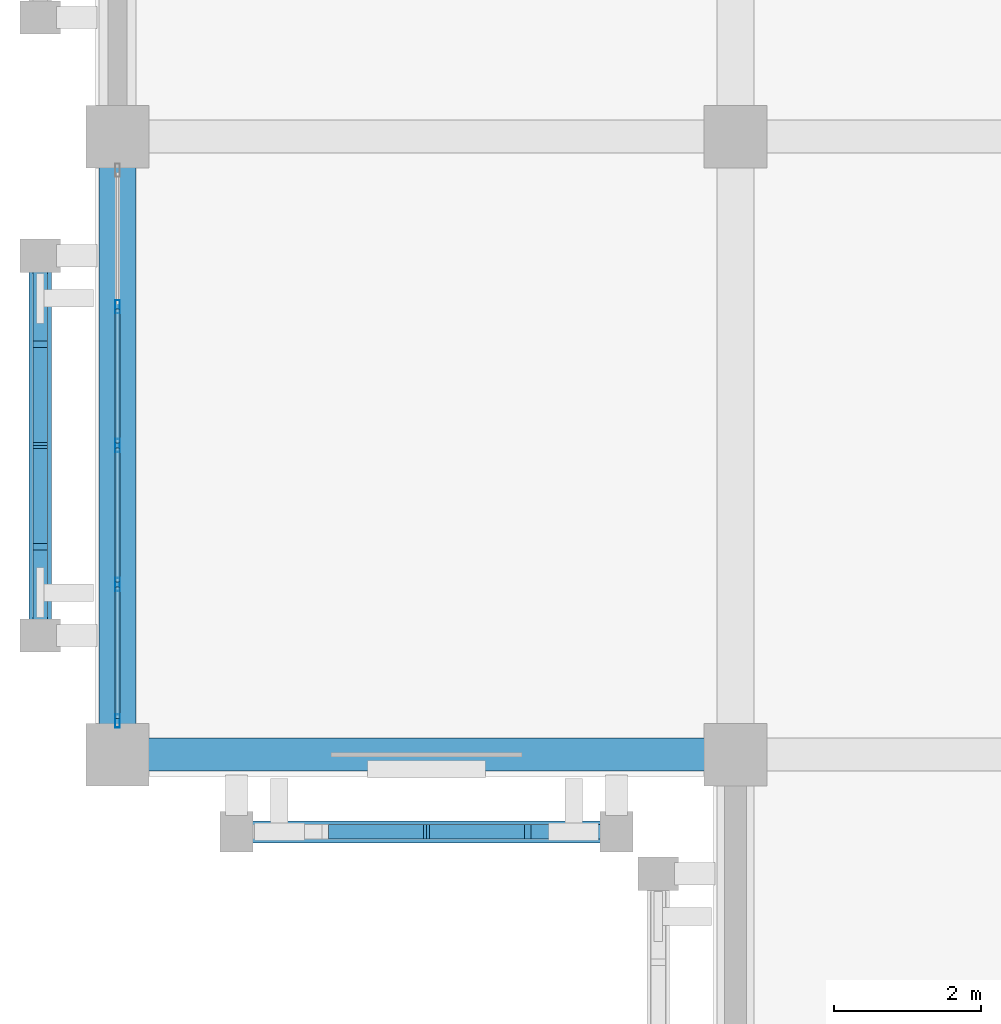
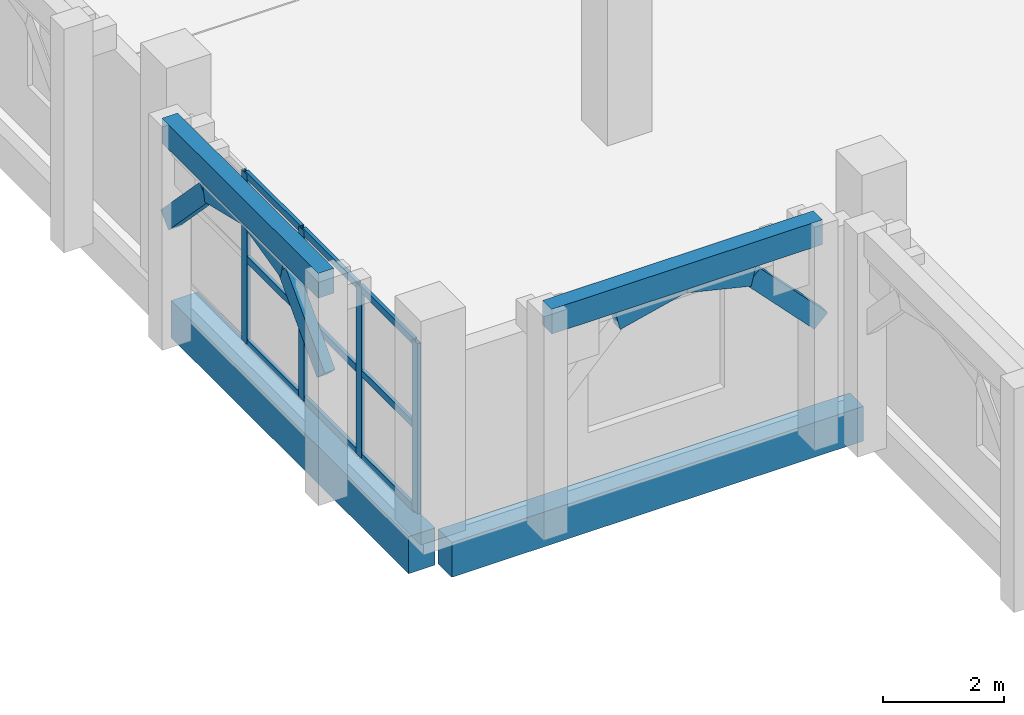
# One storey, part 8 of 137: 20 members, 4 beams, 1 element without a shape of its own.
"""IFC4 building model written with IfcOpenShell, lengths in metres."""

import ifcopenshell
import ifcopenshell.guid

model = None  # the IFC model being written
_history = None  # IfcOwnerHistory: only IFC2X3 demands one
_inside = {}  # id of a spatial element -> (the spatial element, [elements in it])
_under = {}  # id of a project, library or spatial element -> (it, [spatial elements below it])
_declared = {}  # id of a project -> (the project, [libraries it declares])
_typed = {}  # id of a type object -> (the type object, [elements of that type])
_made_of = {}  # id of a material, layer set ... -> (it, [elements and type objects made of it])


def new_model(schema):
    """Start an empty IFC model of exactly this schema.

    Asked for "IFC4X3", IfcOpenShell would pick the latest addendum, in which some entities
    have other attributes; the version numbers below select the first issue.
    IFC2X3 requires an IfcOwnerHistory on every rooted entity: one is made here for all.
    """
    global model, _history
    if schema == "IFC4X3":
        model = ifcopenshell.file(schema_version=(4, 3, 0, 0))
    else:
        model = ifcopenshell.file(schema=schema)
    _inside.clear()
    _under.clear()
    _declared.clear()
    _typed.clear()
    _made_of.clear()
    _history = None
    if model.schema == "IFC2X3":
        org = make("IfcOrganization", Name="unknown")
        user = make(
            "IfcPersonAndOrganization",
            ThePerson=make("IfcPerson", FamilyName="unknown"),
            TheOrganization=org,
        )
        app = make(
            "IfcApplication",
            ApplicationDeveloper=org,
            Version="unknown",
            ApplicationFullName="unknown",
            ApplicationIdentifier="unknown",
        )
        _history = make(
            "IfcOwnerHistory",
            OwningUser=user,
            OwningApplication=app,
            ChangeAction="ADDED",
            CreationDate=0,
        )
    return model


def make(cls, **values):
    """One entity of the class cls with the attributes given. An attribute that is None is left unset."""
    return model.create_entity(
        cls, **{name: value for name, value in values.items() if value is not None}
    )


def rooted(cls, **values):
    """An entity with a GlobalId (a new one), such as an element, a storey or a relation."""
    return make(cls, GlobalId=ifcopenshell.guid.new(), OwnerHistory=_history, **values)


def si_unit(unit_type, name, prefix=None):
    """IfcSIUnit, for example si_unit("LENGTHUNIT", "METRE", prefix="MILLI")."""
    return make("IfcSIUnit", UnitType=unit_type, Prefix=prefix, Name=name)


def assignment(units):
    """IfcUnitAssignment: the units of a project."""
    return None if units is None else make("IfcUnitAssignment", Units=units)


def point(xyz):
    """IfcCartesianPoint."""
    return None if xyz is None else make("IfcCartesianPoint", Coordinates=xyz)


def direction(xyz):
    """IfcDirection."""
    return None if xyz is None else make("IfcDirection", DirectionRatios=xyz)


def frame(location, z_axis=None, x_axis=None):
    """IfcAxis2Placement3D, a coordinate frame: its origin and axes. An axis left out is left unset."""
    return make(
        "IfcAxis2Placement3D",
        Location=point(location),
        Axis=direction(z_axis),
        RefDirection=direction(x_axis),
    )


def frame_2d(location, x_axis=None):
    """IfcAxis2Placement2D, a coordinate frame in the plane: its origin and x axis."""
    return make(
        "IfcAxis2Placement2D", Location=point(location), RefDirection=direction(x_axis)
    )


def origin():
    """The frame at (0, 0, 0) with its axes left unset."""
    return frame((0.0, 0.0, 0.0))


def origin_2d():
    """The frame at (0, 0) in the plane with its x axis left unset."""
    return frame_2d((0.0, 0.0))


def place(relative_to, where):
    """IfcLocalPlacement: puts the frame where relative to a parent placement (None: the world)."""
    return make(
        "IfcLocalPlacement", PlacementRelTo=relative_to, RelativePlacement=where
    )


def context(
    kind, dimensions, precision=None, world=None, true_north=None, identifier=None
):
    """IfcGeometricRepresentationContext, for example the 3D "Model" context."""
    return make(
        "IfcGeometricRepresentationContext",
        ContextIdentifier=identifier,
        ContextType=kind,
        CoordinateSpaceDimension=dimensions,
        Precision=precision,
        WorldCoordinateSystem=world,
        TrueNorth=true_north,
    )


def subcontext(parent, identifier, kind, view, scale=None):
    """IfcGeometricRepresentationSubContext, for example "Body" below "Model"."""
    return make(
        "IfcGeometricRepresentationSubContext",
        ContextIdentifier=identifier,
        ContextType=kind,
        ParentContext=parent,
        TargetScale=scale,
        TargetView=view,
    )


def project(units=None, contexts=None):
    """IfcProject with its units and contexts."""
    return rooted(
        "IfcProject",
        Name="project",
        RepresentationContexts=contexts,
        UnitsInContext=assignment(units),
    )


def spatial(cls, under=None, at=None, **own):
    """A site, building, storey or space (cls), placed at a placement, below another one or the project."""
    s = rooted(cls, ObjectPlacement=at, **own)
    if under is not None:
        _under.setdefault(under.id(), (under, []))[1].append(s)
    return s


def profile(cls, at=None, kind="AREA", **sizes):
    """A parametric profile (cls). Its sizes go by their IFC names, for example OverallWidth=200.0."""
    return make(cls, ProfileType=kind, Position=at, **sizes)


def rectangle(**sizes):
    """IfcRectangleProfileDef."""
    return profile("IfcRectangleProfileDef", **sizes)


def hollow_rectangle(**sizes):
    """IfcRectangleHollowProfileDef."""
    return profile("IfcRectangleHollowProfileDef", **sizes)


def extrude(swept, where, along, depth):
    """IfcExtrudedAreaSolid: the profile swept, set in the frame where, extruded along a direction by depth."""
    return make(
        "IfcExtrudedAreaSolid",
        SweptArea=swept,
        Position=where,
        ExtrudedDirection=direction(along),
        Depth=depth,
    )


def shape(context_of_items, identifier, shape_type, items):
    """IfcShapeRepresentation: the items that make up one representation, for example the "Body"."""
    return make(
        "IfcShapeRepresentation",
        ContextOfItems=context_of_items,
        RepresentationIdentifier=identifier,
        RepresentationType=shape_type,
        Items=items,
    )


def material(Name=None, Category=None):
    """IfcMaterial."""
    return make("IfcMaterial", Name=Name, Category=Category)


def layer(
    of_material, thickness, ventilated=None, Name=None, Category=None, Priority=None
):
    """IfcMaterialLayer: one layer of a wall or slab, of a material (None: an air gap)."""
    return make(
        "IfcMaterialLayer",
        Material=of_material,
        LayerThickness=thickness,
        IsVentilated=ventilated,
        Name=Name,
        Category=Category,
        Priority=Priority,
    )


def layer_set(layers, Name=None):
    """IfcMaterialLayerSet."""
    return make("IfcMaterialLayerSet", MaterialLayers=layers, LayerSetName=Name)


def material_profile(
    of_material, cross_section, Name=None, Category=None, Priority=None
):
    """IfcMaterialProfile: a cross section and its material."""
    return make(
        "IfcMaterialProfile",
        Name=Name,
        Material=of_material,
        Profile=cross_section,
        Priority=Priority,
        Category=Category,
    )


def profile_set(profiles, Name=None, composite=None):
    """IfcMaterialProfileSet."""
    return make(
        "IfcMaterialProfileSet",
        Name=Name,
        MaterialProfiles=profiles,
        CompositeProfile=composite,
    )


def made_of(thing, what):
    """Note that an element or type object is made of a material, layer set ...; save() writes the relation."""
    if what is not None:
        _made_of.setdefault(what.id(), (what, []))[1].append(thing)
    return thing


def type_object(cls, material=None, **own):
    """A type object (cls), such as IfcWallType, which elements share."""
    return made_of(rooted(cls, **own), material)


def element(
    cls,
    number,
    at=None,
    inside=None,
    cuts=None,
    type_object=None,
    material=None,
    context=None,
    identifier="Body",
    shape_type=None,
    held_by="IfcProductDefinitionShape",
    body=None,
    shapes=None,
    **own,
):
    """One element of the class cls, such as IfcWall. Its Tag is "e" and its number.

    at: its placement. inside: the storey or other place that contains it. cuts: it is an
    opening in that element (IfcRelVoidsElement). A single representation is given by context,
    identifier, shape_type and body (its items); several are given by shapes. held_by: the class
    of the entity that holds the representations. save() writes the other relations.
    """
    e = rooted(cls, Tag="e%d" % number, ObjectPlacement=at, **own)
    if body is not None:
        shapes = [shape(context, identifier, shape_type, body)]
    if shapes is not None:
        e.Representation = make(held_by, Representations=shapes)
    if inside is not None:
        _inside.setdefault(inside.id(), (inside, []))[1].append(e)
    if cuts is not None:
        rooted(
            "IfcRelVoidsElement", RelatingBuildingElement=cuts, RelatedOpeningElement=e
        )
    if type_object is not None:
        _typed.setdefault(type_object.id(), (type_object, []))[1].append(e)
    return made_of(e, material)


def aggregate(whole, parts):
    """IfcRelAggregates: a whole, such as a stair, and the parts it consists of."""
    return rooted("IfcRelAggregates", RelatingObject=whole, RelatedObjects=parts)


def save(model, path):
    """Write the relations noted so far, then the file.

    IfcRelAggregates (storeys below a building ...), IfcRelContainedInSpatialStructure (elements
    in a storey), IfcRelDefinesByType, IfcRelAssociatesMaterial and IfcRelDeclares: one each for
    every whole, place, type object, material and project.
    """
    for whole, parts in _under.values():
        aggregate(whole, parts)
    for where, things in _inside.values():
        rooted(
            "IfcRelContainedInSpatialStructure",
            RelatedElements=things,
            RelatingStructure=where,
        )
    for kind, things in _typed.values():
        rooted("IfcRelDefinesByType", RelatedObjects=things, RelatingType=kind)
    for what, things in _made_of.values():
        rooted("IfcRelAssociatesMaterial", RelatedObjects=things, RelatingMaterial=what)
    for by, libraries in _declared.values():
        rooted("IfcRelDeclares", RelatingContext=by, RelatedDefinitions=libraries)
    model.write(path)


model = new_model("IFC4")

# Units and contexts
model_context = context("Model", 3, precision=1e-05, world=origin(), true_north=direction((0.0, 1.0)))
body_context = subcontext(model_context, "Body", "Model", "MODEL_VIEW")
ifc_project = project(units=[si_unit("LENGTHUNIT", "METRE"), si_unit("AREAUNIT", "SQUARE_METRE"), si_unit("VOLUMEUNIT", "CUBIC_METRE"), si_unit("PLANEANGLEUNIT", "RADIAN"), si_unit("MASSUNIT", "GRAM", prefix="KILO")], contexts=[model_context])

# Site, building, storey
site_placement = place(None, origin())
site = spatial("IfcSite", under=ifc_project, at=site_placement, CompositionType="ELEMENT")
building_placement = place(site_placement, origin())
building = spatial("IfcBuilding", under=site, at=building_placement, Name="Xazarin Passage Department Store", CompositionType="ELEMENT")
storey_placement = place(building_placement, frame((0.0, 0.0, 5.39990234375)))
storey = spatial("IfcBuildingStorey", under=building, at=storey_placement, Name="L01", CompositionType="ELEMENT", Elevation=5.39990234375)

# Curtain wall, members
ifc_material_1 = material(Name="Bronze anodised aluminium", Category="aluminium")
ifc_layer = layer(ifc_material_1, 0.18994140625)
ifc_layer_set = layer_set([ifc_layer], Name="Bronze anodised aluminium")
curtain_wall_type = type_object("IfcCurtainWallType", Name="ARC-CW-FDH1", PredefinedType="NOTDEFINED", material=ifc_layer_set)
curtain_wall_placement = place(storey_placement, origin())
curtain_wall = element("IfcCurtainWall", 1, at=curtain_wall_placement, inside=storey, type_object=curtain_wall_type, Name="L01 V3 Curtain Wall 127", PredefinedType="NOTDEFINED")
ifc_material_profile_1 = material_profile(ifc_material_1, hollow_rectangle(XDim=0.06494140625, YDim=0.179931640625, WallThickness=0.00390625, at=origin_2d()), Name="ALU 65x180")
ifc_profile_set_1 = profile_set([ifc_material_profile_1], Name="Bronze anodised aluminium")
member_type_1 = type_object("IfcMemberType", Name="ARC-CWM-65x180", PredefinedType="MULLION", material=ifc_profile_set_1)
member_1_placement = place(storey_placement, frame((0.0, 17.257568359375, 0.0), z_axis=(0.0, 0.0, 1.0), x_axis=(-1.0, 0.0, 0.0)))
member_1 = element("IfcMember", 2, at=member_1_placement, type_object=member_type_1, Name="CW5 mullion 1", PredefinedType="MULLION", context=body_context, shape_type="SweptSolid", body=[
    extrude(hollow_rectangle(XDim=0.06494140625, YDim=0.179931640625, WallThickness=0.00390625, at=origin_2d()), origin(), (0.0, 0.0, 1.0), 3.43017578125),
])
member_2_placement = place(storey_placement, frame((0.0, 19.112548828125, 0.0), z_axis=(0.0, 0.0, 1.0), x_axis=(-1.0, 0.0, 0.0)))
member_2 = element("IfcMember", 3, at=member_2_placement, type_object=member_type_1, Name="CW5 mullion 2", PredefinedType="MULLION", context=body_context, shape_type="SweptSolid", body=[
    extrude(hollow_rectangle(XDim=0.06494140625, YDim=0.179931640625, WallThickness=0.00390625, at=origin_2d()), origin(), (0.0, 0.0, 1.0), 3.43017578125),
])
member_3_placement = place(storey_placement, frame((0.0, 21.0, 0.0), z_axis=(0.0, 0.0, 1.0), x_axis=(-1.0, 0.0, 0.0)))
member_3 = element("IfcMember", 4, at=member_3_placement, type_object=member_type_1, Name="CW5 mullion 3", PredefinedType="MULLION", context=body_context, shape_type="SweptSolid", body=[
    extrude(hollow_rectangle(XDim=0.06494140625, YDim=0.179931640625, WallThickness=0.00390625, at=origin_2d()), origin(), (0.0, 0.0, 1.0), 3.43017578125),
])
member_4_placement = place(storey_placement, frame((0.0, 22.887451171875, 0.0), z_axis=(0.0, 0.0, 1.0), x_axis=(-1.0, 0.0, 0.0)))
member_4 = element("IfcMember", 5, at=member_4_placement, type_object=member_type_1, Name="CW5 mullion 4", PredefinedType="MULLION", context=body_context, shape_type="SweptSolid", body=[
    extrude(hollow_rectangle(XDim=0.06494140625, YDim=0.179931640625, WallThickness=0.00390625, at=origin_2d()), origin(), (0.0, 0.0, 1.0), 3.43017578125),
])
ifc_material_profile_2 = material_profile(ifc_material_1, hollow_rectangle(XDim=0.06494140625, YDim=0.139892578125, WallThickness=0.00390625, at=origin_2d()), Name="ALU 65x140")
ifc_profile_set_2 = profile_set([ifc_material_profile_2], Name="Bronze anodised aluminium")
member_type_2 = type_object("IfcMemberType", Name="ARC-CWT-65x140", PredefinedType="USERDEFINED", material=ifc_profile_set_2)
member_5_placement = place(storey_placement, frame((0.0, 17.2900390625, 0.03271484375), z_axis=(0.0, 1.0, 0.0), x_axis=(-1.0, 0.0, 0.0)))
member_5 = element("IfcMember", 6, at=member_5_placement, type_object=member_type_2, Name="CW5 transom 1.1", ObjectType="TRANSOM", PredefinedType="USERDEFINED", context=body_context, shape_type="SweptSolid", body=[
    extrude(hollow_rectangle(XDim=0.06494140625, YDim=0.139892578125, WallThickness=0.00390625, at=origin_2d()), origin(), (0.0, 0.0, 1.0), 1.7900390625),
])
member_6_placement = place(storey_placement, frame((0.0, 17.2900390625, 1.715087890625), z_axis=(0.0, 1.0, 0.0), x_axis=(-1.0, 0.0, 0.0)))
member_6 = element("IfcMember", 7, at=member_6_placement, type_object=member_type_2, Name="CW5 transom 1.2", ObjectType="TRANSOM", PredefinedType="USERDEFINED", context=body_context, shape_type="SweptSolid", body=[
    extrude(hollow_rectangle(XDim=0.06494140625, YDim=0.139892578125, WallThickness=0.00390625, at=origin_2d()), origin(), (0.0, 0.0, 1.0), 1.7900390625),
])
member_7_placement = place(storey_placement, frame((0.0, 17.2900390625, 3.397705078125), z_axis=(0.0, 1.0, 0.0), x_axis=(-1.0, 0.0, 0.0)))
member_7 = element("IfcMember", 8, at=member_7_placement, type_object=member_type_2, Name="CW5 transom 1.3", ObjectType="TRANSOM", PredefinedType="USERDEFINED", context=body_context, shape_type="SweptSolid", body=[
    extrude(hollow_rectangle(XDim=0.06494140625, YDim=0.139892578125, WallThickness=0.00390625, at=origin_2d()), origin(), (0.0, 0.0, 1.0), 1.7900390625),
])
member_8_placement = place(storey_placement, frame((0.0, 19.14501953125, 0.03271484375), z_axis=(0.0, 1.0, 0.0), x_axis=(-1.0, 0.0, 0.0)))
member_8 = element("IfcMember", 9, at=member_8_placement, type_object=member_type_2, Name="CW5 transom 2.1", ObjectType="TRANSOM", PredefinedType="USERDEFINED", context=body_context, shape_type="SweptSolid", body=[
    extrude(hollow_rectangle(XDim=0.06494140625, YDim=0.139892578125, WallThickness=0.00390625, at=origin_2d()), origin(), (0.0, 0.0, 1.0), 1.822509765625),
])
member_9_placement = place(storey_placement, frame((0.0, 19.14501953125, 1.715087890625), z_axis=(0.0, 1.0, 0.0), x_axis=(-1.0, 0.0, 0.0)))
member_9 = element("IfcMember", 10, at=member_9_placement, type_object=member_type_2, Name="CW5 transom 2.2", ObjectType="TRANSOM", PredefinedType="USERDEFINED", context=body_context, shape_type="SweptSolid", body=[
    extrude(hollow_rectangle(XDim=0.06494140625, YDim=0.139892578125, WallThickness=0.00390625, at=origin_2d()), origin(), (0.0, 0.0, 1.0), 1.822509765625),
])
member_10_placement = place(storey_placement, frame((0.0, 19.14501953125, 3.397705078125), z_axis=(0.0, 1.0, 0.0), x_axis=(-1.0, 0.0, 0.0)))
member_10 = element("IfcMember", 11, at=member_10_placement, type_object=member_type_2, Name="CW5 transom 2.3", ObjectType="TRANSOM", PredefinedType="USERDEFINED", context=body_context, shape_type="SweptSolid", body=[
    extrude(hollow_rectangle(XDim=0.06494140625, YDim=0.139892578125, WallThickness=0.00390625, at=origin_2d()), origin(), (0.0, 0.0, 1.0), 1.822509765625),
])
member_11_placement = place(storey_placement, frame((0.0, 21.032470703125, 0.03271484375), z_axis=(0.0, 1.0, 0.0), x_axis=(-1.0, 0.0, 0.0)))
member_11 = element("IfcMember", 12, at=member_11_placement, type_object=member_type_2, Name="CW5 transom 3.1", ObjectType="TRANSOM", PredefinedType="USERDEFINED", context=body_context, shape_type="SweptSolid", body=[
    extrude(hollow_rectangle(XDim=0.06494140625, YDim=0.139892578125, WallThickness=0.00390625, at=origin_2d()), origin(), (0.0, 0.0, 1.0), 1.822509765625),
])
member_12_placement = place(storey_placement, frame((0.0, 21.032470703125, 1.715087890625), z_axis=(0.0, 1.0, 0.0), x_axis=(-1.0, 0.0, 0.0)))
member_12 = element("IfcMember", 13, at=member_12_placement, type_object=member_type_2, Name="CW5 transom 3.2", ObjectType="TRANSOM", PredefinedType="USERDEFINED", context=body_context, shape_type="SweptSolid", body=[
    extrude(hollow_rectangle(XDim=0.06494140625, YDim=0.139892578125, WallThickness=0.00390625, at=origin_2d()), origin(), (0.0, 0.0, 1.0), 1.822509765625),
])
member_13_placement = place(storey_placement, frame((0.0, 21.032470703125, 3.397705078125), z_axis=(0.0, 1.0, 0.0), x_axis=(-1.0, 0.0, 0.0)))
member_13 = element("IfcMember", 14, at=member_13_placement, type_object=member_type_2, Name="CW5 transom 3.3", ObjectType="TRANSOM", PredefinedType="USERDEFINED", context=body_context, shape_type="SweptSolid", body=[
    extrude(hollow_rectangle(XDim=0.06494140625, YDim=0.139892578125, WallThickness=0.00390625, at=origin_2d()), origin(), (0.0, 0.0, 1.0), 1.822509765625),
])
aggregate(curtain_wall, [member_1, member_2, member_3, member_4, member_5, member_6, member_7, member_8, member_9, member_10, member_11, member_12, member_13])

# Beams
ifc_material_2 = material(Name="Concrete C35/45", Category="concrete")
ifc_material_profile_3 = material_profile(ifc_material_2, rectangle(XDim=0.449951171875, YDim=0.699951171875, at=origin_2d()), Name="RC 450x700")
ifc_profile_set_3 = profile_set([ifc_material_profile_3], Name="Concrete C35/45")
beam_type_1 = type_object("IfcBeamType", Name="STR-BM-G450x700", PredefinedType="BEAM", material=ifc_profile_set_3)
beam_1_placement = place(storey_placement, frame((0.280029296875, 16.800048828125, -0.669921875), z_axis=(1.0, 0.0, 0.0), x_axis=(0.0, 1.0, 0.0)))
element("IfcBeam", 15, at=beam_1_placement, inside=storey, type_object=beam_type_1, Name="L01 Grid Beam C/1-2", PredefinedType="BEAM", context=body_context, shape_type="SweptSolid", body=[
    extrude(rectangle(XDim=0.449951171875, YDim=0.699951171875, at=origin_2d()), origin(), (0.0, 0.0, 1.0), 7.840087890625),
])
ifc_material_profile_4 = material_profile(ifc_material_2, rectangle(XDim=0.300048828125, YDim=0.5, at=origin_2d()), Name="RC 300x500")
ifc_profile_set_4 = profile_set([ifc_material_profile_4], Name="Concrete C35/45")
beam_type_2 = type_object("IfcBeamType", Name="STR-BM-LN300x500", PredefinedType="LINTEL", material=ifc_profile_set_4)
beam_2_placement = place(storey_placement, frame((1.6201171875, 15.75, 4.25), z_axis=(1.0, 0.0, 0.0), x_axis=(0.0, 1.0, 0.0)))
element("IfcBeam", 16, at=beam_2_placement, inside=storey, type_object=beam_type_2, Name="L01 V3 Colonnade Spandrel Beam 026", PredefinedType="LINTEL", context=body_context, shape_type="SweptSolid", body=[
    extrude(rectangle(XDim=0.300048828125, YDim=0.5, at=origin_2d()), origin(), (0.0, 0.0, 1.0), 5.159912109375),
])
beam_3_placement = place(storey_placement, frame((-1.050048828125, 18.419921875, 4.25), z_axis=(0.0, 1.0, 0.0), x_axis=(-1.0, 0.0, 0.0)))
element("IfcBeam", 17, at=beam_3_placement, inside=storey, type_object=beam_type_2, Name="L01 V3 Colonnade Spandrel Beam 034", PredefinedType="LINTEL", context=body_context, shape_type="SweptSolid", body=[
    extrude(rectangle(XDim=0.300048828125, YDim=0.5, at=origin_2d()), origin(), (0.0, 0.0, 1.0), 5.16015625),
])
ifc_material_profile_5 = material_profile(ifc_material_2, rectangle(XDim=0.5, YDim=0.75, at=origin_2d()), Name="RC 500x750")
ifc_profile_set_5 = profile_set([ifc_material_profile_5], Name="Concrete C35/45")
beam_type_3 = type_object("IfcBeamType", Name="STR-BM-SP500x750", PredefinedType="SPANDREL", material=ifc_profile_set_5)
beam_4_placement = place(storey_placement, frame((0.0, 17.080078125, -0.69482421875), z_axis=(0.0, 1.0, 0.0), x_axis=(-1.0, 0.0, 0.0)))
element("IfcBeam", 18, at=beam_4_placement, inside=storey, type_object=beam_type_3, Name="L01 Grid Beam 1/C-D", PredefinedType="SPANDREL", context=body_context, shape_type="SweptSolid", body=[
    extrude(rectangle(XDim=0.5, YDim=0.75, at=origin_2d()), origin(), (0.0, 0.0, 1.0), 7.83984375),
])

# Members
ifc_material_3 = material(Name="Concrete C40/50", Category="concrete")
ifc_material_profile_6 = material_profile(ifc_material_3, rectangle(XDim=0.199951171875, YDim=0.360107421875, at=origin_2d()), Name="RC 200x360")
ifc_profile_set_6 = profile_set([ifc_material_profile_6], Name="Concrete C40/50")
member_type_3 = type_object("IfcMemberType", Name="STR-MEM-ARC360", PredefinedType="CHORD", material=ifc_profile_set_6)
for number, where, z_axis, x_axis, name in (
    (19, (2.909912109375, 15.75, 3.7705078125), (0.972393983317, 0.0, 0.233345111818), (0.0, 1.0, 0.0), "L01 V3 Pierced Lattice Curved Arch 026.2"),
    (20, (4.199951171875, 15.75, 4.080078125), (0.972393983317, 0.0, -0.233345111818), (0.0, 1.0, 0.0), "L01 V3 Pierced Lattice Curved Arch 026.3"),
):
    element("IfcMember", number, at=place(storey_placement, frame(where, z_axis=z_axis, x_axis=x_axis)), inside=storey, type_object=member_type_3, Name=name, PredefinedType="CHORD", context=body_context, shape_type="SweptSolid", body=[
        extrude(rectangle(XDim=0.199951171875, YDim=0.360107421875, at=origin_2d()), origin(), (0.0, 0.0, 1.0), 1.32666015625),
    ])
for number, where, z_axis, x_axis, name in (
    (21, (5.489990234375, 15.75, 3.7705078125), (0.693460080602, 0.0, -0.720495049679), (0.0, 1.0, 0.0), "L01 V3 Pierced Lattice Curved Arch 026.4"),
    (22, (-1.050048828125, 18.419921875, 2.43017578125), (0.0, 0.693460080602, 0.720495049679), (-1.0, 0.0, 0.0), "L01 V3 Pierced Lattice Curved Arch 034.1"),
):
    element("IfcMember", number, at=place(storey_placement, frame(where, z_axis=z_axis, x_axis=x_axis)), inside=storey, type_object=member_type_3, Name=name, PredefinedType="CHORD", context=body_context, shape_type="SweptSolid", body=[
        extrude(rectangle(XDim=0.199951171875, YDim=0.360107421875, at=origin_2d()), origin(), (0.0, 0.0, 1.0), 1.8603515625),
    ])
for number, where, z_axis, x_axis, name in (
    (23, (-1.050048828125, 19.7099609375, 3.7705078125), (0.0, 0.972393983317, 0.233345111818), (-1.0, 0.0, 0.0), "L01 V3 Pierced Lattice Curved Arch 034.2"),
    (24, (-1.050048828125, 21.0, 4.080078125), (0.0, 0.972393983317, -0.233345111818), (-1.0, 0.0, 0.0), "L01 V3 Pierced Lattice Curved Arch 034.3"),
):
    element("IfcMember", number, at=place(storey_placement, frame(where, z_axis=z_axis, x_axis=x_axis)), inside=storey, type_object=member_type_3, Name=name, PredefinedType="CHORD", context=body_context, shape_type="SweptSolid", body=[
        extrude(rectangle(XDim=0.199951171875, YDim=0.360107421875, at=origin_2d()), origin(), (0.0, 0.0, 1.0), 1.32666015625),
    ])
member_14_placement = place(storey_placement, frame((-1.050048828125, 22.2900390625, 3.7705078125), z_axis=(0.0, 0.693460080602, -0.720495049679), x_axis=(-1.0, 0.0, 0.0)))
element("IfcMember", 25, at=member_14_placement, inside=storey, type_object=member_type_3, Name="L01 V3 Pierced Lattice Curved Arch 034.4", PredefinedType="CHORD", context=body_context, shape_type="SweptSolid", body=[
    extrude(rectangle(XDim=0.199951171875, YDim=0.360107421875, at=origin_2d()), origin(), (0.0, 0.0, 1.0), 1.8603515625),
])

save(model, "model.ifc")
